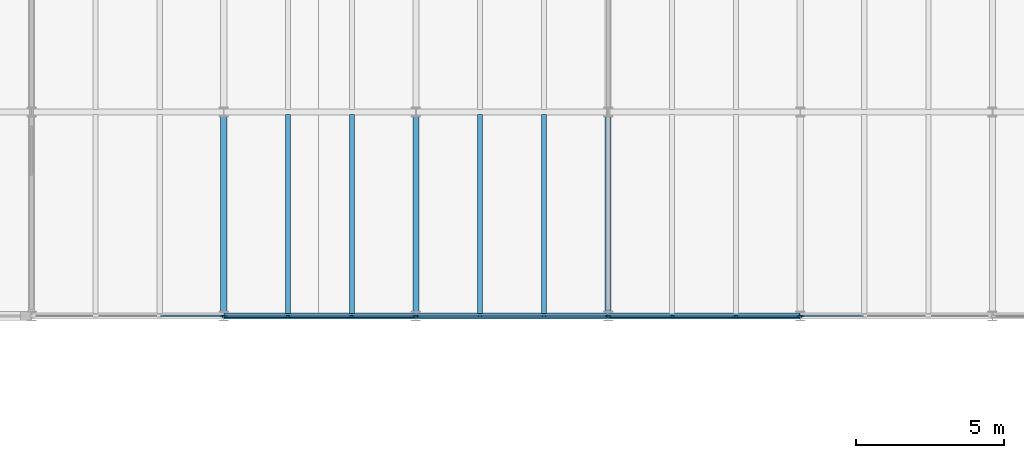
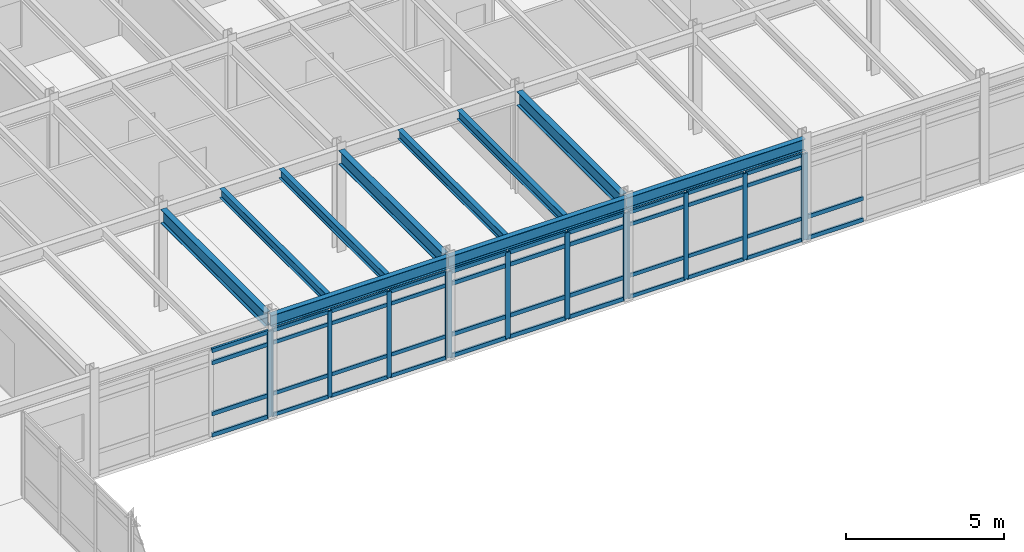
# One storey, part 84 of 144: 56 members, 10 beams, 5 elements without a shape of their own.
"""IFC4 building model written with IfcOpenShell, lengths in metres."""

from ifc_helpers import new_model, si_unit, direction, frame, origin, origin_2d, place, context, subcontext, project, spatial, rectangle, i_section, extrude, material, layer, layer_set, material_profile, profile_set, type_object, element, aggregate, save


model = new_model("IFC4")

# Units and contexts
model_context = context("Model", 3, precision=1e-05, world=origin(), true_north=direction((0.0, 1.0)))
body_context = subcontext(model_context, "Body", "Model", "MODEL_VIEW")
ifc_project = project(units=[si_unit("LENGTHUNIT", "METRE"), si_unit("AREAUNIT", "SQUARE_METRE"), si_unit("VOLUMEUNIT", "CUBIC_METRE"), si_unit("PLANEANGLEUNIT", "RADIAN"), si_unit("MASSUNIT", "GRAM", prefix="KILO")], contexts=[model_context])

# Site, building, storey
site_placement = place(None, origin())
site = spatial("IfcSite", under=ifc_project, at=site_placement, CompositionType="ELEMENT")
building_placement = place(site_placement, origin())
building = spatial("IfcBuilding", under=site, at=building_placement, Name="Trelmorton Wharf Fire Station", CompositionType="ELEMENT")
storey_placement = place(building_placement, frame((0.0, 0.0, 5.39990234375)))
storey = spatial("IfcBuildingStorey", under=building, at=storey_placement, Name="L01", CompositionType="ELEMENT", Elevation=5.39990234375)

# Beams
ifc_material_1 = material(Name="Steel Grade 350", Category="steel")
ifc_material_profile_1 = material_profile(ifc_material_1, i_section(OverallWidth=0.208984375, OverallDepth=0.532958984375, WebThickness=0.01025390625, FlangeThickness=0.015625, FilletRadius=0.013916015625, at=origin_2d()), Name="530UB92.4")
ifc_profile_set_1 = profile_set([ifc_material_profile_1], Name="Steel Grade 350")
beam_type_1 = type_object("IfcBeamType", Name="BM_530UB92", PredefinedType="BEAM", material=ifc_profile_set_1)
for number, where, z_axis, x_axis, name in (
    (1, (130.0, 60.45654296875, 3.66357421875), (0.0, 1.0, 0.0), (-1.0, 0.0, 0.0), "BM-L01-0649"),
    (2, (136.5, 60.45654296875, 3.66357421875), (0.0, 1.0, 0.0), (-1.0, 0.0, 0.0), "BM-L01-0655"),
    (3, (143.0, 60.45654296875, 3.66357421875), (0.0, 1.0, 0.0), (-1.0, 0.0, 0.0), "BM-L01-0661"),
):
    element("IfcBeam", number, at=place(storey_placement, frame(where, z_axis=z_axis, x_axis=x_axis)), inside=storey, type_object=beam_type_1, Name=name, PredefinedType="BEAM", context=body_context, shape_type="SweptSolid", body=[
        extrude(i_section(OverallWidth=0.208984375, OverallDepth=0.532958984375, WebThickness=0.01025390625, FlangeThickness=0.015625, FilletRadius=0.013916015625, at=origin_2d()), origin(), (0.0, 0.0, 1.0), 6.5869140625),
    ])

# Curtain wall, members
ifc_material_2 = material(Name="Anodised aluminium AW-6063", Category="aluminium")
ifc_layer = layer(ifc_material_2, 0.159912109375)
ifc_layer_set = layer_set([ifc_layer], Name="Anodised aluminium AW-6063")
curtain_wall_type = type_object("IfcCurtainWallType", Name="CW_CHIC_A", PredefinedType="USERDEFINED", material=ifc_layer_set)
curtain_wall_1_placement = place(storey_placement, origin())
curtain_wall_1 = element("IfcCurtainWall", 4, at=curtain_wall_1_placement, inside=storey, type_object=curtain_wall_type, Name="CW-V4-L01-125", ObjectType="CHICAGO BAY CURTAIN WALL", PredefinedType="USERDEFINED")
ifc_material_profile_2 = material_profile(ifc_material_2, rectangle(XDim=0.06494140625, YDim=0.159912109375, at=origin_2d()), Name="ALU-65x160")
ifc_profile_set_2 = profile_set([ifc_material_profile_2], Name="Anodised aluminium AW-6063")
member_type_1 = type_object("IfcMemberType", Name="CWM_65x160", PredefinedType="MULLION", material=ifc_profile_set_2)
member_1_placement = place(storey_placement, frame((136.465087890625, 60.300048828125, 0.0), z_axis=(0.0, 0.0, 1.0), x_axis=(0.0, -1.0, 0.0)))
member_1 = element("IfcMember", 5, at=member_1_placement, type_object=member_type_1, Name="CW1 mullion 1", PredefinedType="MULLION", context=body_context, shape_type="SweptSolid", body=[
    extrude(rectangle(XDim=0.06494140625, YDim=0.159912109375, at=origin_2d()), origin(), (0.0, 0.0, 1.0), 3.320068359375),
])
member_2_placement = place(storey_placement, frame((134.331787109375, 60.300048828125, 0.0), z_axis=(0.0, 0.0, 1.0), x_axis=(0.0, -1.0, 0.0)))
member_2 = element("IfcMember", 6, at=member_2_placement, type_object=member_type_1, Name="CW1 mullion 2", PredefinedType="MULLION", context=body_context, shape_type="SweptSolid", body=[
    extrude(rectangle(XDim=0.06494140625, YDim=0.159912109375, at=origin_2d()), origin(), (0.0, 0.0, 1.0), 3.320068359375),
])
member_3_placement = place(storey_placement, frame((132.168212890625, 60.300048828125, 0.0), z_axis=(0.0, 0.0, 1.0), x_axis=(0.0, -1.0, 0.0)))
member_3 = element("IfcMember", 7, at=member_3_placement, type_object=member_type_1, Name="CW1 mullion 3", PredefinedType="MULLION", context=body_context, shape_type="SweptSolid", body=[
    extrude(rectangle(XDim=0.06494140625, YDim=0.159912109375, at=origin_2d()), origin(), (0.0, 0.0, 1.0), 3.320068359375),
])
member_4_placement = place(storey_placement, frame((130.034912109375, 60.300048828125, 0.0), z_axis=(0.0, 0.0, 1.0), x_axis=(0.0, -1.0, 0.0)))
member_4 = element("IfcMember", 8, at=member_4_placement, type_object=member_type_1, Name="CW1 mullion 4", PredefinedType="MULLION", context=body_context, shape_type="SweptSolid", body=[
    extrude(rectangle(XDim=0.06494140625, YDim=0.159912109375, at=origin_2d()), origin(), (0.0, 0.0, 1.0), 3.320068359375),
])

curtain_wall_2_placement = place(storey_placement, origin())
curtain_wall_2 = element("IfcCurtainWall", 9, at=curtain_wall_2_placement, inside=storey, type_object=curtain_wall_type, Name="CW-V4-L01-127", ObjectType="CHICAGO BAY CURTAIN WALL", PredefinedType="USERDEFINED")
member_5_placement = place(storey_placement, frame((149.465087890625, 60.300048828125, 0.0), z_axis=(0.0, 0.0, 1.0), x_axis=(0.0, -1.0, 0.0)))
member_5 = element("IfcMember", 10, at=member_5_placement, type_object=member_type_1, Name="CW1 mullion 1", PredefinedType="MULLION", context=body_context, shape_type="SweptSolid", body=[
    extrude(rectangle(XDim=0.06494140625, YDim=0.159912109375, at=origin_2d()), origin(), (0.0, 0.0, 1.0), 3.320068359375),
])
member_6_placement = place(storey_placement, frame((147.331787109375, 60.300048828125, 0.0), z_axis=(0.0, 0.0, 1.0), x_axis=(0.0, -1.0, 0.0)))
member_6 = element("IfcMember", 11, at=member_6_placement, type_object=member_type_1, Name="CW1 mullion 2", PredefinedType="MULLION", context=body_context, shape_type="SweptSolid", body=[
    extrude(rectangle(XDim=0.06494140625, YDim=0.159912109375, at=origin_2d()), origin(), (0.0, 0.0, 1.0), 3.320068359375),
])
member_7_placement = place(storey_placement, frame((145.168212890625, 60.300048828125, 0.0), z_axis=(0.0, 0.0, 1.0), x_axis=(0.0, -1.0, 0.0)))
member_7 = element("IfcMember", 12, at=member_7_placement, type_object=member_type_1, Name="CW1 mullion 3", PredefinedType="MULLION", context=body_context, shape_type="SweptSolid", body=[
    extrude(rectangle(XDim=0.06494140625, YDim=0.159912109375, at=origin_2d()), origin(), (0.0, 0.0, 1.0), 3.320068359375),
])
member_8_placement = place(storey_placement, frame((143.034912109375, 60.300048828125, 0.0), z_axis=(0.0, 0.0, 1.0), x_axis=(0.0, -1.0, 0.0)))
member_8 = element("IfcMember", 13, at=member_8_placement, type_object=member_type_1, Name="CW1 mullion 4", PredefinedType="MULLION", context=body_context, shape_type="SweptSolid", body=[
    extrude(rectangle(XDim=0.06494140625, YDim=0.159912109375, at=origin_2d()), origin(), (0.0, 0.0, 1.0), 3.320068359375),
])

# Curtain wall, member
curtain_wall_3_placement = place(storey_placement, origin())
curtain_wall_3 = element("IfcCurtainWall", 14, at=curtain_wall_3_placement, inside=storey, type_object=curtain_wall_type, Name="CW-V4-L01-124", ObjectType="CHICAGO BAY CURTAIN WALL", PredefinedType="USERDEFINED")
ifc_material_profile_3 = material_profile(ifc_material_2, rectangle(XDim=0.074951171875, YDim=0.175048828125, at=origin_2d()), Name="ALU-75x175")
ifc_profile_set_3 = profile_set([ifc_material_profile_3], Name="Anodised aluminium AW-6063")
member_type_2 = type_object("IfcMemberType", Name="CWM_75x175", PredefinedType="MULLION", material=ifc_profile_set_3)
member_9_placement = place(storey_placement, frame((129.965087890625, 60.300048828125, 0.0), z_axis=(0.0, 0.0, 1.0), x_axis=(0.0, -1.0, 0.0)))
member_9 = element("IfcMember", 15, at=member_9_placement, type_object=member_type_2, Name="CW1 mullion 1", PredefinedType="MULLION", context=body_context, shape_type="SweptSolid", body=[
    extrude(rectangle(XDim=0.074951171875, YDim=0.175048828125, at=origin_2d()), origin(), (0.0, 0.0, 1.0), 3.320068359375),
])

# Curtain wall, members
curtain_wall_4_placement = place(storey_placement, origin())
curtain_wall_4 = element("IfcCurtainWall", 16, at=curtain_wall_4_placement, inside=storey, type_object=curtain_wall_type, Name="CW-V4-L01-126", ObjectType="CHICAGO BAY CURTAIN WALL", PredefinedType="USERDEFINED")
member_10_placement = place(storey_placement, frame((142.965087890625, 60.300048828125, 0.0), z_axis=(0.0, 0.0, 1.0), x_axis=(0.0, -1.0, 0.0)))
member_10 = element("IfcMember", 17, at=member_10_placement, type_object=member_type_2, Name="CW1 mullion 1", PredefinedType="MULLION", context=body_context, shape_type="SweptSolid", body=[
    extrude(rectangle(XDim=0.074951171875, YDim=0.175048828125, at=origin_2d()), origin(), (0.0, 0.0, 1.0), 3.320068359375),
])
member_11_placement = place(storey_placement, frame((140.831787109375, 60.300048828125, 0.0), z_axis=(0.0, 0.0, 1.0), x_axis=(0.0, -1.0, 0.0)))
member_11 = element("IfcMember", 18, at=member_11_placement, type_object=member_type_2, Name="CW1 mullion 2", PredefinedType="MULLION", context=body_context, shape_type="SweptSolid", body=[
    extrude(rectangle(XDim=0.074951171875, YDim=0.175048828125, at=origin_2d()), origin(), (0.0, 0.0, 1.0), 3.320068359375),
])
member_12_placement = place(storey_placement, frame((138.668212890625, 60.300048828125, 0.0), z_axis=(0.0, 0.0, 1.0), x_axis=(0.0, -1.0, 0.0)))
member_12 = element("IfcMember", 19, at=member_12_placement, type_object=member_type_2, Name="CW1 mullion 3", PredefinedType="MULLION", context=body_context, shape_type="SweptSolid", body=[
    extrude(rectangle(XDim=0.074951171875, YDim=0.175048828125, at=origin_2d()), origin(), (0.0, 0.0, 1.0), 3.320068359375),
])
member_13_placement = place(storey_placement, frame((136.534912109375, 60.300048828125, 0.0), z_axis=(0.0, 0.0, 1.0), x_axis=(0.0, -1.0, 0.0)))
member_13 = element("IfcMember", 20, at=member_13_placement, type_object=member_type_2, Name="CW1 mullion 4", PredefinedType="MULLION", context=body_context, shape_type="SweptSolid", body=[
    extrude(rectangle(XDim=0.074951171875, YDim=0.175048828125, at=origin_2d()), origin(), (0.0, 0.0, 1.0), 3.320068359375),
])

# Curtain wall, member
curtain_wall_5_placement = place(storey_placement, origin())
curtain_wall_5 = element("IfcCurtainWall", 21, at=curtain_wall_5_placement, inside=storey, type_object=curtain_wall_type, Name="CW-V4-L01-128", ObjectType="CHICAGO BAY CURTAIN WALL", PredefinedType="USERDEFINED")
member_14_placement = place(storey_placement, frame((149.534912109375, 60.300048828125, 0.0), z_axis=(0.0, 0.0, 1.0), x_axis=(0.0, -1.0, 0.0)))
member_14 = element("IfcMember", 22, at=member_14_placement, type_object=member_type_2, Name="CW1 mullion 4", PredefinedType="MULLION", context=body_context, shape_type="SweptSolid", body=[
    extrude(rectangle(XDim=0.074951171875, YDim=0.175048828125, at=origin_2d()), origin(), (0.0, 0.0, 1.0), 3.320068359375),
])

# Member
ifc_material_profile_4 = material_profile(ifc_material_2, rectangle(XDim=0.06494140625, YDim=0.139892578125, at=origin_2d()), Name="ALU-65x140")
ifc_profile_set_4 = profile_set([ifc_material_profile_4], Name="Anodised aluminium AW-6063")
member_type_3 = type_object("IfcMemberType", Name="CWT_65x140", PredefinedType="USERDEFINED", material=ifc_profile_set_4)
member_15_placement = place(storey_placement, frame((136.43505859375, 60.300048828125, 0.030029296875), z_axis=(-1.0, 0.0, 0.0), x_axis=(0.0, -1.0, 0.0)))
member_15 = element("IfcMember", 23, at=member_15_placement, type_object=member_type_3, Name="CW1 transom 1.1", ObjectType="TRANSOM", PredefinedType="USERDEFINED", context=body_context, shape_type="SweptSolid", body=[
    extrude(rectangle(XDim=0.06494140625, YDim=0.139892578125, at=origin_2d()), origin(), (0.0, 0.0, 1.0), 2.073486328125),
])

member_16_placement = place(storey_placement, frame((136.43505859375, 60.300048828125, 0.85009765625), z_axis=(-1.0, 0.0, 0.0), x_axis=(0.0, -1.0, 0.0)))
member_16 = element("IfcMember", 24, at=member_16_placement, type_object=member_type_3, Name="CW1 transom 1.2", ObjectType="TRANSOM", PredefinedType="USERDEFINED", context=body_context, shape_type="SweptSolid", body=[
    extrude(rectangle(XDim=0.06494140625, YDim=0.139892578125, at=origin_2d()), origin(), (0.0, 0.0, 1.0), 2.073486328125),
])

member_17_placement = place(storey_placement, frame((136.43505859375, 60.300048828125, 2.820068359375), z_axis=(-1.0, 0.0, 0.0), x_axis=(0.0, -1.0, 0.0)))
member_17 = element("IfcMember", 25, at=member_17_placement, type_object=member_type_3, Name="CW1 transom 1.3", ObjectType="TRANSOM", PredefinedType="USERDEFINED", context=body_context, shape_type="SweptSolid", body=[
    extrude(rectangle(XDim=0.06494140625, YDim=0.139892578125, at=origin_2d()), origin(), (0.0, 0.0, 1.0), 2.073486328125),
])

member_18_placement = place(storey_placement, frame((136.43505859375, 60.300048828125, 3.2900390625), z_axis=(-1.0, 0.0, 0.0), x_axis=(0.0, -1.0, 0.0)))
member_18 = element("IfcMember", 26, at=member_18_placement, type_object=member_type_3, Name="CW1 transom 1.4", ObjectType="TRANSOM", PredefinedType="USERDEFINED", context=body_context, shape_type="SweptSolid", body=[
    extrude(rectangle(XDim=0.06494140625, YDim=0.139892578125, at=origin_2d()), origin(), (0.0, 0.0, 1.0), 2.073486328125),
])

member_19_placement = place(storey_placement, frame((134.3017578125, 60.300048828125, 0.030029296875), z_axis=(-1.0, 0.0, 0.0), x_axis=(0.0, -1.0, 0.0)))
member_19 = element("IfcMember", 27, at=member_19_placement, type_object=member_type_3, Name="CW1 transom 2.1", ObjectType="TRANSOM", PredefinedType="USERDEFINED", context=body_context, shape_type="SweptSolid", body=[
    extrude(rectangle(XDim=0.06494140625, YDim=0.139892578125, at=origin_2d()), origin(), (0.0, 0.0, 1.0), 2.103515625),
])

member_20_placement = place(storey_placement, frame((134.3017578125, 60.300048828125, 0.85009765625), z_axis=(-1.0, 0.0, 0.0), x_axis=(0.0, -1.0, 0.0)))
member_20 = element("IfcMember", 28, at=member_20_placement, type_object=member_type_3, Name="CW1 transom 2.2", ObjectType="TRANSOM", PredefinedType="USERDEFINED", context=body_context, shape_type="SweptSolid", body=[
    extrude(rectangle(XDim=0.06494140625, YDim=0.139892578125, at=origin_2d()), origin(), (0.0, 0.0, 1.0), 2.103515625),
])

member_21_placement = place(storey_placement, frame((134.3017578125, 60.300048828125, 2.820068359375), z_axis=(-1.0, 0.0, 0.0), x_axis=(0.0, -1.0, 0.0)))
member_21 = element("IfcMember", 29, at=member_21_placement, type_object=member_type_3, Name="CW1 transom 2.3", ObjectType="TRANSOM", PredefinedType="USERDEFINED", context=body_context, shape_type="SweptSolid", body=[
    extrude(rectangle(XDim=0.06494140625, YDim=0.139892578125, at=origin_2d()), origin(), (0.0, 0.0, 1.0), 2.103515625),
])

member_22_placement = place(storey_placement, frame((134.3017578125, 60.300048828125, 3.2900390625), z_axis=(-1.0, 0.0, 0.0), x_axis=(0.0, -1.0, 0.0)))
member_22 = element("IfcMember", 30, at=member_22_placement, type_object=member_type_3, Name="CW1 transom 2.4", ObjectType="TRANSOM", PredefinedType="USERDEFINED", context=body_context, shape_type="SweptSolid", body=[
    extrude(rectangle(XDim=0.06494140625, YDim=0.139892578125, at=origin_2d()), origin(), (0.0, 0.0, 1.0), 2.103515625),
])

member_23_placement = place(storey_placement, frame((132.138427734375, 60.300048828125, 0.030029296875), z_axis=(-1.0, 0.0, 0.0), x_axis=(0.0, -1.0, 0.0)))
member_23 = element("IfcMember", 31, at=member_23_placement, type_object=member_type_3, Name="CW1 transom 3.1", ObjectType="TRANSOM", PredefinedType="USERDEFINED", context=body_context, shape_type="SweptSolid", body=[
    extrude(rectangle(XDim=0.06494140625, YDim=0.139892578125, at=origin_2d()), origin(), (0.0, 0.0, 1.0), 2.073486328125),
])

member_24_placement = place(storey_placement, frame((132.138427734375, 60.300048828125, 0.85009765625), z_axis=(-1.0, 0.0, 0.0), x_axis=(0.0, -1.0, 0.0)))
member_24 = element("IfcMember", 32, at=member_24_placement, type_object=member_type_3, Name="CW1 transom 3.2", ObjectType="TRANSOM", PredefinedType="USERDEFINED", context=body_context, shape_type="SweptSolid", body=[
    extrude(rectangle(XDim=0.06494140625, YDim=0.139892578125, at=origin_2d()), origin(), (0.0, 0.0, 1.0), 2.073486328125),
])

member_25_placement = place(storey_placement, frame((132.138427734375, 60.300048828125, 2.820068359375), z_axis=(-1.0, 0.0, 0.0), x_axis=(0.0, -1.0, 0.0)))
member_25 = element("IfcMember", 33, at=member_25_placement, type_object=member_type_3, Name="CW1 transom 3.3", ObjectType="TRANSOM", PredefinedType="USERDEFINED", context=body_context, shape_type="SweptSolid", body=[
    extrude(rectangle(XDim=0.06494140625, YDim=0.139892578125, at=origin_2d()), origin(), (0.0, 0.0, 1.0), 2.073486328125),
])

member_26_placement = place(storey_placement, frame((132.138427734375, 60.300048828125, 3.2900390625), z_axis=(-1.0, 0.0, 0.0), x_axis=(0.0, -1.0, 0.0)))
member_26 = element("IfcMember", 34, at=member_26_placement, type_object=member_type_3, Name="CW1 transom 3.4", ObjectType="TRANSOM", PredefinedType="USERDEFINED", context=body_context, shape_type="SweptSolid", body=[
    extrude(rectangle(XDim=0.06494140625, YDim=0.139892578125, at=origin_2d()), origin(), (0.0, 0.0, 1.0), 2.073486328125),
])

aggregate(curtain_wall_1, [member_1, member_2, member_3, member_4, member_15, member_16, member_17, member_18, member_19, member_20, member_21, member_22, member_23, member_24, member_25, member_26])

member_27_placement = place(storey_placement, frame((149.43505859375, 60.300048828125, 0.030029296875), z_axis=(-1.0, 0.0, 0.0), x_axis=(0.0, -1.0, 0.0)))
member_27 = element("IfcMember", 35, at=member_27_placement, type_object=member_type_3, Name="CW1 transom 1.1", ObjectType="TRANSOM", PredefinedType="USERDEFINED", context=body_context, shape_type="SweptSolid", body=[
    extrude(rectangle(XDim=0.06494140625, YDim=0.139892578125, at=origin_2d()), origin(), (0.0, 0.0, 1.0), 2.073486328125),
])

member_28_placement = place(storey_placement, frame((149.43505859375, 60.300048828125, 0.85009765625), z_axis=(-1.0, 0.0, 0.0), x_axis=(0.0, -1.0, 0.0)))
member_28 = element("IfcMember", 36, at=member_28_placement, type_object=member_type_3, Name="CW1 transom 1.2", ObjectType="TRANSOM", PredefinedType="USERDEFINED", context=body_context, shape_type="SweptSolid", body=[
    extrude(rectangle(XDim=0.06494140625, YDim=0.139892578125, at=origin_2d()), origin(), (0.0, 0.0, 1.0), 2.073486328125),
])

member_29_placement = place(storey_placement, frame((149.43505859375, 60.300048828125, 2.820068359375), z_axis=(-1.0, 0.0, 0.0), x_axis=(0.0, -1.0, 0.0)))
member_29 = element("IfcMember", 37, at=member_29_placement, type_object=member_type_3, Name="CW1 transom 1.3", ObjectType="TRANSOM", PredefinedType="USERDEFINED", context=body_context, shape_type="SweptSolid", body=[
    extrude(rectangle(XDim=0.06494140625, YDim=0.139892578125, at=origin_2d()), origin(), (0.0, 0.0, 1.0), 2.073486328125),
])

member_30_placement = place(storey_placement, frame((149.43505859375, 60.300048828125, 3.2900390625), z_axis=(-1.0, 0.0, 0.0), x_axis=(0.0, -1.0, 0.0)))
member_30 = element("IfcMember", 38, at=member_30_placement, type_object=member_type_3, Name="CW1 transom 1.4", ObjectType="TRANSOM", PredefinedType="USERDEFINED", context=body_context, shape_type="SweptSolid", body=[
    extrude(rectangle(XDim=0.06494140625, YDim=0.139892578125, at=origin_2d()), origin(), (0.0, 0.0, 1.0), 2.073486328125),
])

member_31_placement = place(storey_placement, frame((147.3017578125, 60.300048828125, 0.030029296875), z_axis=(-1.0, 0.0, 0.0), x_axis=(0.0, -1.0, 0.0)))
member_31 = element("IfcMember", 39, at=member_31_placement, type_object=member_type_3, Name="CW1 transom 2.1", ObjectType="TRANSOM", PredefinedType="USERDEFINED", context=body_context, shape_type="SweptSolid", body=[
    extrude(rectangle(XDim=0.06494140625, YDim=0.139892578125, at=origin_2d()), origin(), (0.0, 0.0, 1.0), 2.103515625),
])

member_32_placement = place(storey_placement, frame((147.3017578125, 60.300048828125, 0.85009765625), z_axis=(-1.0, 0.0, 0.0), x_axis=(0.0, -1.0, 0.0)))
member_32 = element("IfcMember", 40, at=member_32_placement, type_object=member_type_3, Name="CW1 transom 2.2", ObjectType="TRANSOM", PredefinedType="USERDEFINED", context=body_context, shape_type="SweptSolid", body=[
    extrude(rectangle(XDim=0.06494140625, YDim=0.139892578125, at=origin_2d()), origin(), (0.0, 0.0, 1.0), 2.103515625),
])

member_33_placement = place(storey_placement, frame((147.3017578125, 60.300048828125, 2.820068359375), z_axis=(-1.0, 0.0, 0.0), x_axis=(0.0, -1.0, 0.0)))
member_33 = element("IfcMember", 41, at=member_33_placement, type_object=member_type_3, Name="CW1 transom 2.3", ObjectType="TRANSOM", PredefinedType="USERDEFINED", context=body_context, shape_type="SweptSolid", body=[
    extrude(rectangle(XDim=0.06494140625, YDim=0.139892578125, at=origin_2d()), origin(), (0.0, 0.0, 1.0), 2.103515625),
])

member_34_placement = place(storey_placement, frame((147.3017578125, 60.300048828125, 3.2900390625), z_axis=(-1.0, 0.0, 0.0), x_axis=(0.0, -1.0, 0.0)))
member_34 = element("IfcMember", 42, at=member_34_placement, type_object=member_type_3, Name="CW1 transom 2.4", ObjectType="TRANSOM", PredefinedType="USERDEFINED", context=body_context, shape_type="SweptSolid", body=[
    extrude(rectangle(XDim=0.06494140625, YDim=0.139892578125, at=origin_2d()), origin(), (0.0, 0.0, 1.0), 2.103515625),
])

member_35_placement = place(storey_placement, frame((145.138427734375, 60.300048828125, 0.030029296875), z_axis=(-1.0, 0.0, 0.0), x_axis=(0.0, -1.0, 0.0)))
member_35 = element("IfcMember", 43, at=member_35_placement, type_object=member_type_3, Name="CW1 transom 3.1", ObjectType="TRANSOM", PredefinedType="USERDEFINED", context=body_context, shape_type="SweptSolid", body=[
    extrude(rectangle(XDim=0.06494140625, YDim=0.139892578125, at=origin_2d()), origin(), (0.0, 0.0, 1.0), 2.073486328125),
])

member_36_placement = place(storey_placement, frame((145.138427734375, 60.300048828125, 0.85009765625), z_axis=(-1.0, 0.0, 0.0), x_axis=(0.0, -1.0, 0.0)))
member_36 = element("IfcMember", 44, at=member_36_placement, type_object=member_type_3, Name="CW1 transom 3.2", ObjectType="TRANSOM", PredefinedType="USERDEFINED", context=body_context, shape_type="SweptSolid", body=[
    extrude(rectangle(XDim=0.06494140625, YDim=0.139892578125, at=origin_2d()), origin(), (0.0, 0.0, 1.0), 2.073486328125),
])

member_37_placement = place(storey_placement, frame((145.138427734375, 60.300048828125, 2.820068359375), z_axis=(-1.0, 0.0, 0.0), x_axis=(0.0, -1.0, 0.0)))
member_37 = element("IfcMember", 45, at=member_37_placement, type_object=member_type_3, Name="CW1 transom 3.3", ObjectType="TRANSOM", PredefinedType="USERDEFINED", context=body_context, shape_type="SweptSolid", body=[
    extrude(rectangle(XDim=0.06494140625, YDim=0.139892578125, at=origin_2d()), origin(), (0.0, 0.0, 1.0), 2.073486328125),
])

member_38_placement = place(storey_placement, frame((145.138427734375, 60.300048828125, 3.2900390625), z_axis=(-1.0, 0.0, 0.0), x_axis=(0.0, -1.0, 0.0)))
member_38 = element("IfcMember", 46, at=member_38_placement, type_object=member_type_3, Name="CW1 transom 3.4", ObjectType="TRANSOM", PredefinedType="USERDEFINED", context=body_context, shape_type="SweptSolid", body=[
    extrude(rectangle(XDim=0.06494140625, YDim=0.139892578125, at=origin_2d()), origin(), (0.0, 0.0, 1.0), 2.073486328125),
])

aggregate(curtain_wall_2, [member_5, member_6, member_7, member_8, member_27, member_28, member_29, member_30, member_31, member_32, member_33, member_34, member_35, member_36, member_37, member_38])

ifc_material_profile_5 = material_profile(ifc_material_2, rectangle(XDim=0.074951171875, YDim=0.155029296875, at=origin_2d()), Name="ALU-75x155")
ifc_profile_set_5 = profile_set([ifc_material_profile_5], Name="Anodised aluminium AW-6063")
member_type_4 = type_object("IfcMemberType", Name="CWT_75x155", PredefinedType="USERDEFINED", material=ifc_profile_set_5)
member_39_placement = place(storey_placement, frame((129.93505859375, 60.300048828125, 0.030029296875), z_axis=(-1.0, 0.0, 0.0), x_axis=(0.0, -1.0, 0.0)))
member_39 = element("IfcMember", 47, at=member_39_placement, type_object=member_type_4, Name="CW1 transom 1.1", ObjectType="TRANSOM", PredefinedType="USERDEFINED", context=body_context, shape_type="SweptSolid", body=[
    extrude(rectangle(XDim=0.074951171875, YDim=0.155029296875, at=origin_2d()), origin(), (0.0, 0.0, 1.0), 2.073486328125),
])

member_40_placement = place(storey_placement, frame((129.93505859375, 60.300048828125, 0.85009765625), z_axis=(-1.0, 0.0, 0.0), x_axis=(0.0, -1.0, 0.0)))
member_40 = element("IfcMember", 48, at=member_40_placement, type_object=member_type_4, Name="CW1 transom 1.2", ObjectType="TRANSOM", PredefinedType="USERDEFINED", context=body_context, shape_type="SweptSolid", body=[
    extrude(rectangle(XDim=0.074951171875, YDim=0.155029296875, at=origin_2d()), origin(), (0.0, 0.0, 1.0), 2.073486328125),
])

member_41_placement = place(storey_placement, frame((129.93505859375, 60.300048828125, 2.820068359375), z_axis=(-1.0, 0.0, 0.0), x_axis=(0.0, -1.0, 0.0)))
member_41 = element("IfcMember", 49, at=member_41_placement, type_object=member_type_4, Name="CW1 transom 1.3", ObjectType="TRANSOM", PredefinedType="USERDEFINED", context=body_context, shape_type="SweptSolid", body=[
    extrude(rectangle(XDim=0.074951171875, YDim=0.155029296875, at=origin_2d()), origin(), (0.0, 0.0, 1.0), 2.073486328125),
])

member_42_placement = place(storey_placement, frame((129.93505859375, 60.300048828125, 3.2900390625), z_axis=(-1.0, 0.0, 0.0), x_axis=(0.0, -1.0, 0.0)))
member_42 = element("IfcMember", 50, at=member_42_placement, type_object=member_type_4, Name="CW1 transom 1.4", ObjectType="TRANSOM", PredefinedType="USERDEFINED", context=body_context, shape_type="SweptSolid", body=[
    extrude(rectangle(XDim=0.074951171875, YDim=0.155029296875, at=origin_2d()), origin(), (0.0, 0.0, 1.0), 2.073486328125),
])

aggregate(curtain_wall_3, [member_9, member_39, member_40, member_41, member_42])

member_43_placement = place(storey_placement, frame((142.93505859375, 60.300048828125, 0.030029296875), z_axis=(-1.0, 0.0, 0.0), x_axis=(0.0, -1.0, 0.0)))
member_43 = element("IfcMember", 51, at=member_43_placement, type_object=member_type_4, Name="CW1 transom 1.1", ObjectType="TRANSOM", PredefinedType="USERDEFINED", context=body_context, shape_type="SweptSolid", body=[
    extrude(rectangle(XDim=0.074951171875, YDim=0.155029296875, at=origin_2d()), origin(), (0.0, 0.0, 1.0), 2.073486328125),
])

member_44_placement = place(storey_placement, frame((142.93505859375, 60.300048828125, 0.85009765625), z_axis=(-1.0, 0.0, 0.0), x_axis=(0.0, -1.0, 0.0)))
member_44 = element("IfcMember", 52, at=member_44_placement, type_object=member_type_4, Name="CW1 transom 1.2", ObjectType="TRANSOM", PredefinedType="USERDEFINED", context=body_context, shape_type="SweptSolid", body=[
    extrude(rectangle(XDim=0.074951171875, YDim=0.155029296875, at=origin_2d()), origin(), (0.0, 0.0, 1.0), 2.073486328125),
])

member_45_placement = place(storey_placement, frame((142.93505859375, 60.300048828125, 2.820068359375), z_axis=(-1.0, 0.0, 0.0), x_axis=(0.0, -1.0, 0.0)))
member_45 = element("IfcMember", 53, at=member_45_placement, type_object=member_type_4, Name="CW1 transom 1.3", ObjectType="TRANSOM", PredefinedType="USERDEFINED", context=body_context, shape_type="SweptSolid", body=[
    extrude(rectangle(XDim=0.074951171875, YDim=0.155029296875, at=origin_2d()), origin(), (0.0, 0.0, 1.0), 2.073486328125),
])

member_46_placement = place(storey_placement, frame((142.93505859375, 60.300048828125, 3.2900390625), z_axis=(-1.0, 0.0, 0.0), x_axis=(0.0, -1.0, 0.0)))
member_46 = element("IfcMember", 54, at=member_46_placement, type_object=member_type_4, Name="CW1 transom 1.4", ObjectType="TRANSOM", PredefinedType="USERDEFINED", context=body_context, shape_type="SweptSolid", body=[
    extrude(rectangle(XDim=0.074951171875, YDim=0.155029296875, at=origin_2d()), origin(), (0.0, 0.0, 1.0), 2.073486328125),
])

member_47_placement = place(storey_placement, frame((140.8017578125, 60.300048828125, 0.030029296875), z_axis=(-1.0, 0.0, 0.0), x_axis=(0.0, -1.0, 0.0)))
member_47 = element("IfcMember", 55, at=member_47_placement, type_object=member_type_4, Name="CW1 transom 2.1", ObjectType="TRANSOM", PredefinedType="USERDEFINED", context=body_context, shape_type="SweptSolid", body=[
    extrude(rectangle(XDim=0.074951171875, YDim=0.155029296875, at=origin_2d()), origin(), (0.0, 0.0, 1.0), 2.103515625),
])

member_48_placement = place(storey_placement, frame((140.8017578125, 60.300048828125, 0.85009765625), z_axis=(-1.0, 0.0, 0.0), x_axis=(0.0, -1.0, 0.0)))
member_48 = element("IfcMember", 56, at=member_48_placement, type_object=member_type_4, Name="CW1 transom 2.2", ObjectType="TRANSOM", PredefinedType="USERDEFINED", context=body_context, shape_type="SweptSolid", body=[
    extrude(rectangle(XDim=0.074951171875, YDim=0.155029296875, at=origin_2d()), origin(), (0.0, 0.0, 1.0), 2.103515625),
])

member_49_placement = place(storey_placement, frame((140.8017578125, 60.300048828125, 2.820068359375), z_axis=(-1.0, 0.0, 0.0), x_axis=(0.0, -1.0, 0.0)))
member_49 = element("IfcMember", 57, at=member_49_placement, type_object=member_type_4, Name="CW1 transom 2.3", ObjectType="TRANSOM", PredefinedType="USERDEFINED", context=body_context, shape_type="SweptSolid", body=[
    extrude(rectangle(XDim=0.074951171875, YDim=0.155029296875, at=origin_2d()), origin(), (0.0, 0.0, 1.0), 2.103515625),
])

member_50_placement = place(storey_placement, frame((140.8017578125, 60.300048828125, 3.2900390625), z_axis=(-1.0, 0.0, 0.0), x_axis=(0.0, -1.0, 0.0)))
member_50 = element("IfcMember", 58, at=member_50_placement, type_object=member_type_4, Name="CW1 transom 2.4", ObjectType="TRANSOM", PredefinedType="USERDEFINED", context=body_context, shape_type="SweptSolid", body=[
    extrude(rectangle(XDim=0.074951171875, YDim=0.155029296875, at=origin_2d()), origin(), (0.0, 0.0, 1.0), 2.103515625),
])

member_51_placement = place(storey_placement, frame((138.638427734375, 60.300048828125, 0.030029296875), z_axis=(-1.0, 0.0, 0.0), x_axis=(0.0, -1.0, 0.0)))
member_51 = element("IfcMember", 59, at=member_51_placement, type_object=member_type_4, Name="CW1 transom 3.1", ObjectType="TRANSOM", PredefinedType="USERDEFINED", context=body_context, shape_type="SweptSolid", body=[
    extrude(rectangle(XDim=0.074951171875, YDim=0.155029296875, at=origin_2d()), origin(), (0.0, 0.0, 1.0), 2.073486328125),
])

member_52_placement = place(storey_placement, frame((138.638427734375, 60.300048828125, 0.85009765625), z_axis=(-1.0, 0.0, 0.0), x_axis=(0.0, -1.0, 0.0)))
member_52 = element("IfcMember", 60, at=member_52_placement, type_object=member_type_4, Name="CW1 transom 3.2", ObjectType="TRANSOM", PredefinedType="USERDEFINED", context=body_context, shape_type="SweptSolid", body=[
    extrude(rectangle(XDim=0.074951171875, YDim=0.155029296875, at=origin_2d()), origin(), (0.0, 0.0, 1.0), 2.073486328125),
])

member_53_placement = place(storey_placement, frame((138.638427734375, 60.300048828125, 2.820068359375), z_axis=(-1.0, 0.0, 0.0), x_axis=(0.0, -1.0, 0.0)))
member_53 = element("IfcMember", 61, at=member_53_placement, type_object=member_type_4, Name="CW1 transom 3.3", ObjectType="TRANSOM", PredefinedType="USERDEFINED", context=body_context, shape_type="SweptSolid", body=[
    extrude(rectangle(XDim=0.074951171875, YDim=0.155029296875, at=origin_2d()), origin(), (0.0, 0.0, 1.0), 2.073486328125),
])

member_54_placement = place(storey_placement, frame((138.638427734375, 60.300048828125, 3.2900390625), z_axis=(-1.0, 0.0, 0.0), x_axis=(0.0, -1.0, 0.0)))
member_54 = element("IfcMember", 62, at=member_54_placement, type_object=member_type_4, Name="CW1 transom 3.4", ObjectType="TRANSOM", PredefinedType="USERDEFINED", context=body_context, shape_type="SweptSolid", body=[
    extrude(rectangle(XDim=0.074951171875, YDim=0.155029296875, at=origin_2d()), origin(), (0.0, 0.0, 1.0), 2.073486328125),
])

aggregate(curtain_wall_4, [member_10, member_11, member_12, member_13, member_43, member_44, member_45, member_46, member_47, member_48, member_49, member_50, member_51, member_52, member_53, member_54])

member_55_placement = place(storey_placement, frame((151.638427734375, 60.300048828125, 0.030029296875), z_axis=(-1.0, 0.0, 0.0), x_axis=(0.0, -1.0, 0.0)))
member_55 = element("IfcMember", 63, at=member_55_placement, type_object=member_type_4, Name="CW1 transom 3.1", ObjectType="TRANSOM", PredefinedType="USERDEFINED", context=body_context, shape_type="SweptSolid", body=[
    extrude(rectangle(XDim=0.074951171875, YDim=0.155029296875, at=origin_2d()), origin(), (0.0, 0.0, 1.0), 2.073486328125),
])

member_56_placement = place(storey_placement, frame((151.638427734375, 60.300048828125, 0.85009765625), z_axis=(-1.0, 0.0, 0.0), x_axis=(0.0, -1.0, 0.0)))
member_56 = element("IfcMember", 64, at=member_56_placement, type_object=member_type_4, Name="CW1 transom 3.2", ObjectType="TRANSOM", PredefinedType="USERDEFINED", context=body_context, shape_type="SweptSolid", body=[
    extrude(rectangle(XDim=0.074951171875, YDim=0.155029296875, at=origin_2d()), origin(), (0.0, 0.0, 1.0), 2.073486328125),
])

aggregate(curtain_wall_5, [member_14, member_55, member_56])

# Beams
ifc_material_profile_6 = material_profile(ifc_material_1, i_section(OverallWidth=0.172119140625, OverallDepth=0.35888671875, WebThickness=0.008056640625, FlangeThickness=0.012939453125, FilletRadius=0.011474609375, at=origin_2d()), Name="360UB56.7")
ifc_profile_set_6 = profile_set([ifc_material_profile_6], Name="Steel Grade 350")
beam_type_2 = type_object("IfcBeamType", Name="JS_360UB57", PredefinedType="JOIST", material=ifc_profile_set_6)
for number, where, z_axis, x_axis, name in (
    (65, (132.166748046875, 60.389892578125, 3.75048828125), (0.0, 1.0, 0.0), (-1.0, 0.0, 0.0), "JS-L01-0185"),
    (66, (134.333251953125, 60.389892578125, 3.75048828125), (0.0, 1.0, 0.0), (-1.0, 0.0, 0.0), "JS-L01-0186"),
    (67, (138.666748046875, 60.389892578125, 3.75048828125), (0.0, 1.0, 0.0), (-1.0, 0.0, 0.0), "JS-L01-0195"),
    (68, (140.833251953125, 60.389892578125, 3.75048828125), (0.0, 1.0, 0.0), (-1.0, 0.0, 0.0), "JS-L01-0196"),
):
    element("IfcBeam", number, at=place(storey_placement, frame(where, z_axis=z_axis, x_axis=x_axis)), inside=storey, type_object=beam_type_2, Name=name, PredefinedType="JOIST", context=body_context, shape_type="SweptSolid", body=[
        extrude(i_section(OverallWidth=0.172119140625, OverallDepth=0.35888671875, WebThickness=0.008056640625, FlangeThickness=0.012939453125, FilletRadius=0.011474609375, at=origin_2d()), origin(), (0.0, 0.0, 1.0), 6.72021484375),
    ])
ifc_material_profile_7 = material_profile(ifc_material_1, i_section(OverallWidth=0.18994140625, OverallDepth=0.45703125, WebThickness=0.009033203125, FlangeThickness=0.014404296875, FilletRadius=0.011474609375, at=origin_2d()), Name="460UB74.6")
ifc_profile_set_7 = profile_set([ifc_material_profile_7], Name="Steel Grade 350")
beam_type_3 = type_object("IfcBeamType", Name="SP_460UB75", PredefinedType="SPANDREL", material=ifc_profile_set_7)
for number, where, z_axis, x_axis, name in (
    (69, (130.0048828125, 60.300048828125, 3.70166015625), (1.0, 0.0, 0.0), (0.0, 1.0, 0.0), "BM-L01-0501"),
    (70, (136.5048828125, 60.300048828125, 3.70166015625), (1.0, 0.0, 0.0), (0.0, 1.0, 0.0), "BM-L01-0502"),
    (71, (143.0048828125, 60.300048828125, 3.70166015625), (1.0, 0.0, 0.0), (0.0, 1.0, 0.0), "BM-L01-0503"),
):
    element("IfcBeam", number, at=place(storey_placement, frame(where, z_axis=z_axis, x_axis=x_axis)), inside=storey, type_object=beam_type_3, Name=name, PredefinedType="SPANDREL", context=body_context, shape_type="SweptSolid", body=[
        extrude(i_section(OverallWidth=0.18994140625, OverallDepth=0.45703125, WebThickness=0.009033203125, FlangeThickness=0.014404296875, FilletRadius=0.011474609375, at=origin_2d()), origin(), (0.0, 0.0, 1.0), 6.490234375),
    ])

save(model, "model.ifc")
